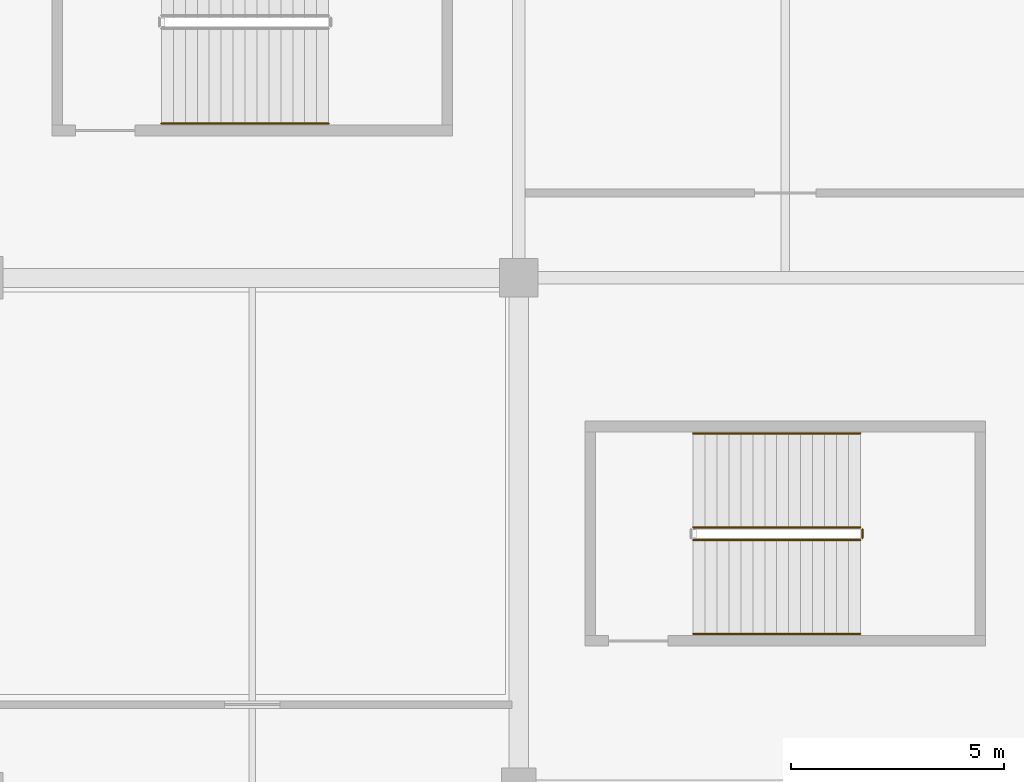
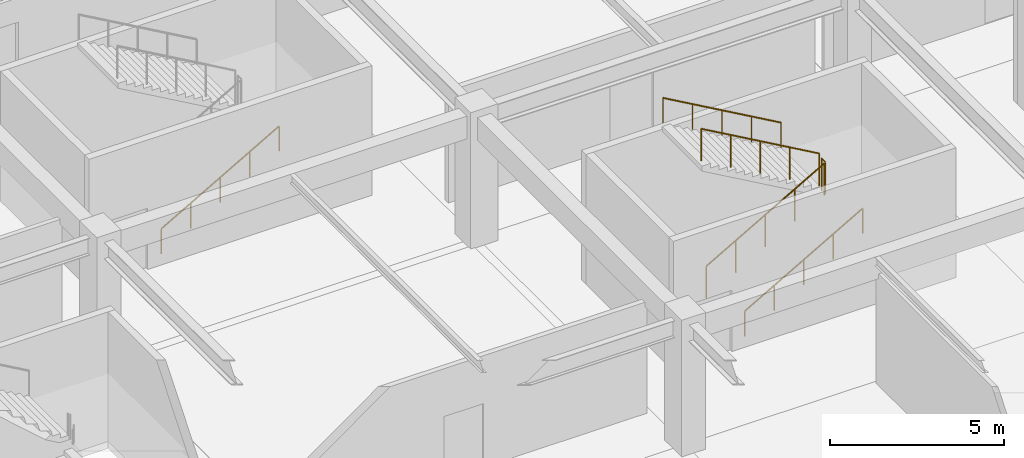
# One storey, part 127 of 134: 6 railings.
"""IFC4 building model written with IfcOpenShell, lengths in metres."""

from ifc_helpers import new_model, si_unit, direction, frame, origin, origin_2d, place, context, subcontext, project, spatial, circle, extrude, material, layer, layer_set, type_object, element, save


model = new_model("IFC4")

# Units and contexts
model_context = context("Model", 3, precision=1e-05, world=origin(), true_north=direction((0.0, 1.0)))
body_context = subcontext(model_context, "Body", "Model", "MODEL_VIEW")
ifc_project = project(units=[si_unit("LENGTHUNIT", "METRE"), si_unit("AREAUNIT", "SQUARE_METRE"), si_unit("VOLUMEUNIT", "CUBIC_METRE"), si_unit("PLANEANGLEUNIT", "RADIAN"), si_unit("MASSUNIT", "GRAM", prefix="KILO")], contexts=[model_context])

# Site, building, storey
site_placement = place(None, origin())
site = spatial("IfcSite", under=ifc_project, at=site_placement, CompositionType="ELEMENT")
building_placement = place(site_placement, origin())
building = spatial("IfcBuilding", under=site, at=building_placement, Name="Kazenohara Klinker Stadium", CompositionType="ELEMENT")
storey_placement = place(building_placement, frame((0.0, 0.0, 5.39990234375)))
storey = spatial("IfcBuildingStorey", under=building, at=storey_placement, Name="L01", CompositionType="ELEMENT", Elevation=5.39990234375)

# Railings
ifc_material_1 = material(Name="Brushed stainless steel 304 handrail", Category="steel")
ifc_layer_1 = layer(ifc_material_1, 0.050048828125)
ifc_layer_set_1 = layer_set([ifc_layer_1], Name="Brushed stainless steel 304 handrail")
railing_type_1 = type_object("IfcRailingType", Name="RL-HND-900", PredefinedType="HANDRAIL", material=ifc_layer_set_1)
railing_1_placement = place(storey_placement, frame((78.090087890625, 147.64990234375, 0.16015625)))
element("IfcRailing", 1, at=railing_1_placement, inside=storey, type_object=railing_type_1, Name="L01 ST09 stair handrail 1", PredefinedType="HANDRAIL", context=body_context, shape_type="SweptSolid", body=[
    extrude(circle(Radius=0.02392578125, at=origin_2d()), frame((0.0, 0.0, 0.8759765625), z_axis=(0.868239814368, 0.0, 0.496144761885), x_axis=(0.0, 1.0, 0.0)), (0.0, 0.0, 1.0), 4.514892578125),
    extrude(circle(Radius=0.02099609375, at=origin_2d()), origin(), (0.0, 0.0, 1.0), 0.851806640625),
    extrude(circle(Radius=0.02099609375, at=origin_2d()), frame((0.97998046875, 0.0, 0.56005859375)), (0.0, 0.0, 1.0), 0.851806640625),
    extrude(circle(Radius=0.02099609375, at=origin_2d()), frame((1.9599609375, 0.0, 1.1201171875)), (0.0, 0.0, 1.0), 0.851806640625),
    extrude(circle(Radius=0.02099609375, at=origin_2d()), frame((2.93994140625, 0.0, 1.679931640625)), (0.0, 0.0, 1.0), 0.851806640625),
    extrude(circle(Radius=0.02099609375, at=origin_2d()), frame((3.919921875, 0.0, 2.239990234375)), (0.0, 0.0, 1.0), 0.851806640625),
])
railing_2_placement = place(storey_placement, frame((82.010009765625, 152.35009765625, 2.56005859375)))
element("IfcRailing", 2, at=railing_2_placement, inside=storey, type_object=railing_type_1, Name="L01 ST09 stair handrail 2", PredefinedType="HANDRAIL", context=body_context, shape_type="SweptSolid", body=[
    extrude(circle(Radius=0.02392578125, at=origin_2d()), frame((0.0, 0.0, 0.8759765625), z_axis=(-0.868239814368, 0.0, 0.496144761885), x_axis=(0.0, -1.0, 0.0)), (0.0, 0.0, 1.0), 4.514892578125),
    extrude(circle(Radius=0.02099609375, at=origin_2d()), origin(), (0.0, 0.0, 1.0), 0.851806640625),
    extrude(circle(Radius=0.02099609375, at=origin_2d()), frame((-0.97998046875, 0.0, 0.56005859375)), (0.0, 0.0, 1.0), 0.851806640625),
    extrude(circle(Radius=0.02099609375, at=origin_2d()), frame((-1.9599609375, 0.0, 1.1201171875)), (0.0, 0.0, 1.0), 0.851806640625),
    extrude(circle(Radius=0.02099609375, at=origin_2d()), frame((-2.93994140625, 0.0, 1.679931640625)), (0.0, 0.0, 1.0), 0.851806640625),
    extrude(circle(Radius=0.02099609375, at=origin_2d()), frame((-3.919921875, 0.0, 2.239990234375)), (0.0, 0.0, 1.0), 0.851806640625),
])
railing_3_placement = place(storey_placement, frame((65.6201171875, 159.6201171875, 0.16015625)))
element("IfcRailing", 3, at=railing_3_placement, inside=storey, type_object=railing_type_1, Name="L01 ST15 stair handrail 1", PredefinedType="HANDRAIL", context=body_context, shape_type="SweptSolid", body=[
    extrude(circle(Radius=0.02392578125, at=origin_2d()), frame((0.0, 0.0, 0.8759765625), z_axis=(0.868239814368, 0.0, 0.496144761885), x_axis=(0.0, 1.0, 0.0)), (0.0, 0.0, 1.0), 4.514892578125),
    extrude(circle(Radius=0.02099609375, at=origin_2d()), origin(), (0.0, 0.0, 1.0), 0.851806640625),
    extrude(circle(Radius=0.02099609375, at=origin_2d()), frame((0.97998046875, 0.0, 0.56005859375)), (0.0, 0.0, 1.0), 0.851806640625),
    extrude(circle(Radius=0.02099609375, at=origin_2d()), frame((1.9599609375, 0.0, 1.1201171875)), (0.0, 0.0, 1.0), 0.851806640625),
    extrude(circle(Radius=0.02099609375, at=origin_2d()), frame((2.93994140625, 0.0, 1.679931640625)), (0.0, 0.0, 1.0), 0.851806640625),
    extrude(circle(Radius=0.02099609375, at=origin_2d()), frame((3.919921875, 0.0, 2.239990234375)), (0.0, 0.0, 1.0), 0.851806640625),
])
ifc_material_2 = material(Name="Painted steel stairwell guardrail", Category="steel")
ifc_layer_2 = layer(ifc_material_2, 0.06005859375)
ifc_layer_set_2 = layer_set([ifc_layer_2], Name="Painted steel stairwell guardrail")
railing_type_2 = type_object("IfcRailingType", Name="RL-STG-1120", PredefinedType="GUARDRAIL", material=ifc_layer_set_2)
railing_4_placement = place(storey_placement, frame((78.090087890625, 149.85009765625, 0.16015625)))
element("IfcRailing", 4, at=railing_4_placement, inside=storey, type_object=railing_type_2, Name="L01 ST09 stair guard 1", PredefinedType="GUARDRAIL", context=body_context, shape_type="SweptSolid", body=[
    extrude(circle(Radius=0.02392578125, at=origin_2d()), frame((0.0, 0.0, 1.1259765625), z_axis=(0.868239814368, 0.0, 0.496144761885), x_axis=(0.0, 1.0, 0.0)), (0.0, 0.0, 1.0), 4.514892578125),
    extrude(circle(Radius=0.02099609375, at=origin_2d()), origin(), (0.0, 0.0, 1.0), 1.101806640625),
    extrude(circle(Radius=0.02099609375, at=origin_2d()), frame((0.97998046875, 0.0, 0.56005859375)), (0.0, 0.0, 1.0), 1.101806640625),
    extrude(circle(Radius=0.02099609375, at=origin_2d()), frame((1.9599609375, 0.0, 1.1201171875)), (0.0, 0.0, 1.0), 1.101806640625),
    extrude(circle(Radius=0.02099609375, at=origin_2d()), frame((2.93994140625, 0.0, 1.679931640625)), (0.0, 0.0, 1.0), 1.101806640625),
    extrude(circle(Radius=0.02099609375, at=origin_2d()), frame((3.919921875, 0.0, 2.239990234375)), (0.0, 0.0, 1.0), 1.101806640625),
])
railing_5_placement = place(storey_placement, frame((82.06005859375, 149.89990234375, 2.400146484375)))
element("IfcRailing", 5, at=railing_5_placement, inside=storey, type_object=railing_type_2, Name="L01 ST09 stair guard 2", PredefinedType="GUARDRAIL", context=body_context, shape_type="SweptSolid", body=[
    extrude(circle(Radius=0.02392578125, at=origin_2d()), frame((0.0, 0.0, 1.1259765625), z_axis=(0.0, 1.0, 0.0), x_axis=(-1.0, 0.0, 0.0)), (0.0, 0.0, 1.0), 0.2001953125),
    extrude(circle(Radius=0.02099609375, at=origin_2d()), origin(), (0.0, 0.0, 1.0), 1.101806640625),
    extrude(circle(Radius=0.02099609375, at=origin_2d()), frame((0.0, 0.2001953125, 0.0)), (0.0, 0.0, 1.0), 1.101806640625),
])
railing_6_placement = place(storey_placement, frame((82.010009765625, 150.14990234375, 2.56005859375)))
element("IfcRailing", 6, at=railing_6_placement, inside=storey, type_object=railing_type_2, Name="L01 ST09 stair guard 3", PredefinedType="GUARDRAIL", context=body_context, shape_type="SweptSolid", body=[
    extrude(circle(Radius=0.02392578125, at=origin_2d()), frame((0.0, 0.0, 1.1259765625), z_axis=(-0.868239814368, 0.0, 0.496144761885), x_axis=(0.0, -1.0, 0.0)), (0.0, 0.0, 1.0), 4.514892578125),
    extrude(circle(Radius=0.02099609375, at=origin_2d()), origin(), (0.0, 0.0, 1.0), 1.101806640625),
    extrude(circle(Radius=0.02099609375, at=origin_2d()), frame((-0.97998046875, 0.0, 0.56005859375)), (0.0, 0.0, 1.0), 1.101806640625),
    extrude(circle(Radius=0.02099609375, at=origin_2d()), frame((-1.9599609375, 0.0, 1.1201171875)), (0.0, 0.0, 1.0), 1.101806640625),
    extrude(circle(Radius=0.02099609375, at=origin_2d()), frame((-2.93994140625, 0.0, 1.679931640625)), (0.0, 0.0, 1.0), 1.101806640625),
    extrude(circle(Radius=0.02099609375, at=origin_2d()), frame((-3.919921875, 0.0, 2.239990234375)), (0.0, 0.0, 1.0), 1.101806640625),
])

save(model, "model.ifc")
